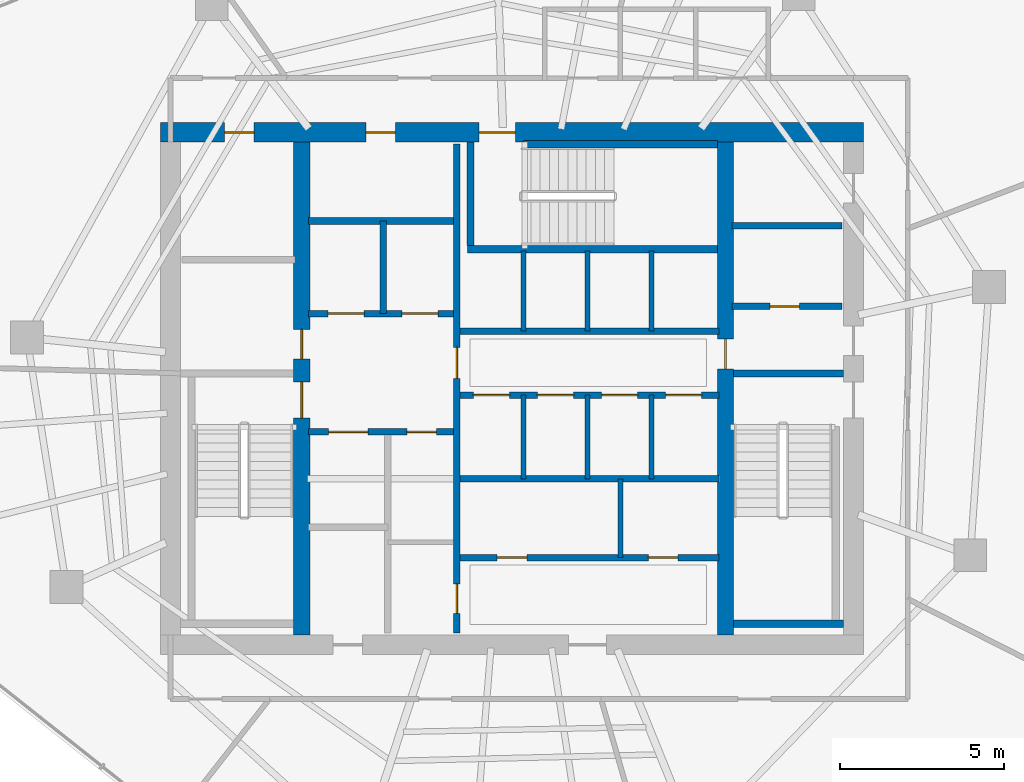
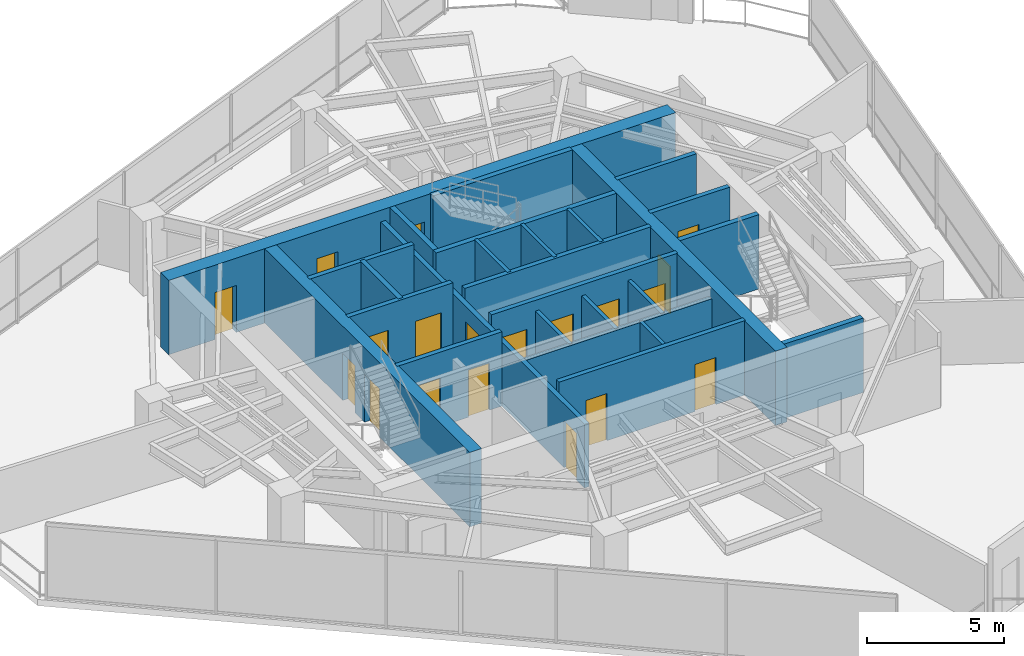
# One storey, part 16 of 20: 26 walls, 19 doors, 19 openings.
"""IFC4 building model written with IfcOpenShell, lengths in metres."""

from ifc_helpers import new_model, si_unit, direction, frame, frame_2d, origin, place, context, subcontext, project, spatial, rectangle, extrude, material, layer, layer_set, type_object, element, fill, save


model = new_model("IFC4")

# Units and contexts
model_context = context("Model", 3, precision=1e-05, world=origin(), true_north=direction((0.0, 1.0)))
body_context = subcontext(model_context, "Body", "Model", "MODEL_VIEW")
ifc_project = project(units=[si_unit("LENGTHUNIT", "METRE"), si_unit("AREAUNIT", "SQUARE_METRE"), si_unit("VOLUMEUNIT", "CUBIC_METRE"), si_unit("PLANEANGLEUNIT", "RADIAN"), si_unit("MASSUNIT", "GRAM", prefix="KILO")], contexts=[model_context])

# Site, building, storey
site_placement = place(None, origin())
site = spatial("IfcSite", under=ifc_project, at=site_placement, CompositionType="ELEMENT")
building_placement = place(site_placement, origin())
building = spatial("IfcBuilding", under=site, at=building_placement, Name="Qarnah Convention Tower", CompositionType="ELEMENT")
storey_placement = place(building_placement, frame((0.0, 0.0, 147.300048828125)))
storey = spatial("IfcBuildingStorey", under=building, at=storey_placement, Name="L39", CompositionType="ELEMENT", Elevation=147.300048828125)

# Wall, openings, doors
ifc_material_1 = material(Name="Concrete C60/75", Category="concrete")
ifc_layer_1 = layer(ifc_material_1, 0.60009765625)
ifc_layer_set_1 = layer_set([ifc_layer_1], Name="Concrete C60/75")
wall_type_1 = type_object("IfcWallType", Name="WL-CORE-600", PredefinedType="SHEAR", material=ifc_layer_set_1)
wall_1_placement = place(storey_placement, frame((26.5, 34.199951171875, 0.0), z_axis=(0.0, 0.0, 1.0), x_axis=(1.0, 0.0, 0.0)))
wall_1 = element("IfcWall", 1, at=wall_1_placement, inside=storey, type_object=wall_type_1, Name="L39 core north shear wall", PredefinedType="SHEAR", context=body_context, shape_type="SweptSolid", body=[
    extrude(rectangle(XDim=21.39990234375, YDim=0.60009765625, at=frame_2d((10.699951171875, 0.0))), origin(), (0.0, 0.0, 1.0), 3.320068359375),
])
opening_1_placement = place(wall_1_placement, frame((9.699951171875, 0.0, 0.0)))
opening_1 = element("IfcOpeningElement", 2, at=opening_1_placement, cuts=wall_1, Name="Opening D-3903", PredefinedType="OPENING", context=body_context, shape_type="SweptSolid", body=[
    extrude(rectangle(XDim=1.10009765625, YDim=2.14990234375, at=frame_2d((0.550048828125, 1.074951171875))), frame((0.0, 0.31005859375, 0.0), z_axis=(0.0, -1.0, 0.0), x_axis=(1.0, 0.0, 0.0)), (0.0, 0.0, 1.0), 0.6201171875),
])
opening_2_placement = place(wall_1_placement, frame((1.949951171875, 0.0, 0.0)))
opening_2 = element("IfcOpeningElement", 3, at=opening_2_placement, cuts=wall_1, Name="Opening D-3909", PredefinedType="OPENING", context=body_context, shape_type="SweptSolid", body=[
    extrude(rectangle(XDim=0.89990234375, YDim=2.10009765625, at=frame_2d((0.449951171875, 1.050048828125))), frame((0.0, 0.31005859375, 0.0), z_axis=(0.0, -1.0, 0.0), x_axis=(1.0, 0.0, 0.0)), (0.0, 0.0, 1.0), 0.6201171875),
])
opening_3_placement = place(wall_1_placement, frame((6.25, 0.0, 0.0)))
opening_3 = element("IfcOpeningElement", 4, at=opening_3_placement, cuts=wall_1, Name="Opening D-3910", PredefinedType="OPENING", context=body_context, shape_type="SweptSolid", body=[
    extrude(rectangle(XDim=0.89990234375, YDim=2.10009765625, at=frame_2d((0.449951171875, 1.050048828125))), frame((0.0, 0.31005859375, 0.0), z_axis=(0.0, -1.0, 0.0), x_axis=(1.0, 0.0, 0.0)), (0.0, 0.0, 1.0), 0.6201171875),
])
ifc_material_2 = material(Name="Structural steel S355JR", Category="steel")
door_type_1 = type_object("IfcDoorType", Name="DT-RISER-900", OperationType="NOTDEFINED", PredefinedType="DOOR", material=ifc_material_2)
door_1_placement = place(opening_2_placement, origin())
door_1 = element("IfcDoor", 5, at=door_1_placement, inside=storey, type_object=door_type_1, Name="Door D-3909", OperationType="SINGLE_SWING_LEFT", OverallHeight=2.10009765625, OverallWidth=0.89990234375, PredefinedType="DOOR", context=body_context, shape_type="SweptSolid", body=[
    extrude(rectangle(XDim=0.89990234375, YDim=2.10009765625, at=frame_2d((0.449951171875, 1.050048828125))), frame((0.0, 0.02490234375, 0.0), z_axis=(0.0, -1.0, 0.0), x_axis=(1.0, 0.0, 0.0)), (0.0, 0.0, 1.0), 0.050048828125),
])
fill(opening_2, door_1)
door_2_placement = place(opening_3_placement, origin())
door_2 = element("IfcDoor", 6, at=door_2_placement, inside=storey, type_object=door_type_1, Name="Door D-3910", OperationType="SINGLE_SWING_RIGHT", OverallHeight=2.10009765625, OverallWidth=0.89990234375, PredefinedType="DOOR", context=body_context, shape_type="SweptSolid", body=[
    extrude(rectangle(XDim=0.89990234375, YDim=2.10009765625, at=frame_2d((0.449951171875, 1.050048828125))), frame((0.0, 0.02490234375, 0.0), z_axis=(0.0, -1.0, 0.0), x_axis=(1.0, 0.0, 0.0)), (0.0, 0.0, 1.0), 0.050048828125),
])
fill(opening_3, door_2)
door_type_2 = type_object("IfcDoorType", Name="DT-STAIR-1100", OperationType="NOTDEFINED", PredefinedType="DOOR", material=ifc_material_2)
door_3_placement = place(opening_1_placement, origin())
door_3 = element("IfcDoor", 7, at=door_3_placement, inside=storey, type_object=door_type_2, Name="Door D-3903", OperationType="SINGLE_SWING_LEFT", OverallHeight=2.14990234375, OverallWidth=1.10009765625, PredefinedType="DOOR", context=body_context, shape_type="SweptSolid", body=[
    extrude(rectangle(XDim=1.10009765625, YDim=2.14990234375, at=frame_2d((0.550048828125, 1.074951171875))), frame((0.0, 0.02490234375, 0.0), z_axis=(0.0, -1.0, 0.0), x_axis=(1.0, 0.0, 0.0)), (0.0, 0.0, 1.0), 0.050048828125),
])
fill(opening_1, door_3)

ifc_layer_2 = layer(ifc_material_1, 0.5)
ifc_layer_set_2 = layer_set([ifc_layer_2], Name="Concrete C60/75")
wall_type_2 = type_object("IfcWallType", Name="WL-CORE-INT-400", PredefinedType="SHEAR", material=ifc_layer_set_2)
wall_2_placement = place(storey_placement, frame((30.800048828125, 18.89990234375, 0.0), z_axis=(0.0, 0.0, 1.0), x_axis=(0.0, 1.0, 0.0)))
wall_2 = element("IfcWall", 8, at=wall_2_placement, inside=storey, type_object=wall_type_2, Name="L39 core west spine shear wall", PredefinedType="SHEAR", context=body_context, shape_type="SweptSolid", body=[
    extrude(rectangle(XDim=15.0, YDim=0.5, at=frame_2d((7.5, 0.0))), origin(), (0.0, 0.0, 1.0), 3.320068359375),
])
opening_4_placement = place(wall_2_placement, frame((6.60009765625, 0.0, 0.0)))
opening_4 = element("IfcOpeningElement", 9, at=opening_4_placement, cuts=wall_2, Name="Opening D-3901", PredefinedType="OPENING", context=body_context, shape_type="SweptSolid", body=[
    extrude(rectangle(XDim=1.10009765625, YDim=2.14990234375, at=frame_2d((0.550048828125, 1.074951171875))), frame((0.0, 0.260009765625, 0.0), z_axis=(0.0, -1.0, 0.0), x_axis=(1.0, 0.0, 0.0)), (0.0, 0.0, 1.0), 0.52001953125),
])
opening_5_placement = place(wall_2_placement, frame((8.39990234375, 0.0, 0.0)))
opening_5 = element("IfcOpeningElement", 10, at=opening_5_placement, cuts=wall_2, Name="Opening D-3908", PredefinedType="OPENING", context=body_context, shape_type="SweptSolid", body=[
    extrude(rectangle(XDim=0.89990234375, YDim=2.10009765625, at=frame_2d((0.449951171875, 1.050048828125))), frame((0.0, 0.260009765625, 0.0), z_axis=(0.0, -1.0, 0.0), x_axis=(1.0, 0.0, 0.0)), (0.0, 0.0, 1.0), 0.52001953125),
])
door_4_placement = place(opening_5_placement, origin())
door_4 = element("IfcDoor", 11, at=door_4_placement, inside=storey, type_object=door_type_1, Name="Door D-3908", OperationType="SINGLE_SWING_RIGHT", OverallHeight=2.10009765625, OverallWidth=0.89990234375, PredefinedType="DOOR", context=body_context, shape_type="SweptSolid", body=[
    extrude(rectangle(XDim=0.89990234375, YDim=2.10009765625, at=frame_2d((0.449951171875, 1.050048828125))), frame((0.0, 0.02490234375, 0.0), z_axis=(0.0, -1.0, 0.0), x_axis=(1.0, 0.0, 0.0)), (0.0, 0.0, 1.0), 0.050048828125),
])
fill(opening_5, door_4)
door_5_placement = place(opening_4_placement, origin())
door_5 = element("IfcDoor", 12, at=door_5_placement, inside=storey, type_object=door_type_2, Name="Door D-3901", OperationType="SINGLE_SWING_LEFT", OverallHeight=2.14990234375, OverallWidth=1.10009765625, PredefinedType="DOOR", context=body_context, shape_type="SweptSolid", body=[
    extrude(rectangle(XDim=1.10009765625, YDim=2.14990234375, at=frame_2d((0.550048828125, 1.074951171875))), frame((0.0, 0.02490234375, 0.0), z_axis=(0.0, -1.0, 0.0), x_axis=(1.0, 0.0, 0.0)), (0.0, 0.0, 1.0), 0.050048828125),
])
fill(opening_4, door_5)

# Wall, opening, door
wall_3_placement = place(storey_placement, frame((43.699951171875, 18.89990234375, 0.0), z_axis=(0.0, 0.0, 1.0), x_axis=(0.0, 1.0, 0.0)))
wall_3 = element("IfcWall", 13, at=wall_3_placement, inside=storey, type_object=wall_type_2, Name="L39 core east spine shear wall", PredefinedType="SHEAR", context=body_context, shape_type="SweptSolid", body=[
    extrude(rectangle(XDim=15.0, YDim=0.5, at=frame_2d((7.5, 0.0))), origin(), (0.0, 0.0, 1.0), 3.320068359375),
])
opening_6_placement = place(wall_3_placement, frame((8.10009765625, 0.0, 0.0)))
opening_6 = element("IfcOpeningElement", 14, at=opening_6_placement, cuts=wall_3, Name="Opening D-3905", PredefinedType="OPENING", context=body_context, shape_type="SweptSolid", body=[
    extrude(rectangle(XDim=0.89990234375, YDim=2.10009765625, at=frame_2d((0.449951171875, 1.050048828125))), frame((0.0, 0.260009765625, 0.0), z_axis=(0.0, -1.0, 0.0), x_axis=(1.0, 0.0, 0.0)), (0.0, 0.0, 1.0), 0.52001953125),
])
door_6_placement = place(opening_6_placement, origin())
door_6 = element("IfcDoor", 15, at=door_6_placement, inside=storey, type_object=door_type_1, Name="Door D-3905", OperationType="SINGLE_SWING_LEFT", OverallHeight=2.10009765625, OverallWidth=0.89990234375, PredefinedType="DOOR", context=body_context, shape_type="SweptSolid", body=[
    extrude(rectangle(XDim=0.89990234375, YDim=2.10009765625, at=frame_2d((0.449951171875, 1.050048828125))), frame((0.0, 0.02490234375, 0.0), z_axis=(0.0, -1.0, 0.0), x_axis=(1.0, 0.0, 0.0)), (0.0, 0.0, 1.0), 0.050048828125),
])
fill(opening_6, door_6)

ifc_material_3 = material(Name="Concrete C45/55", Category="concrete")
ifc_layer_3 = layer(ifc_material_3, 0.199951171875)
ifc_layer_set_3 = layer_set([ifc_layer_3], Name="Concrete C45/55")
wall_type_3 = type_object("IfcWallType", Name="WL-CORE-PART-200", PredefinedType="SOLIDWALL", material=ifc_layer_set_3)
wall_4_placement = place(storey_placement, frame((43.89990234375, 28.89990234375, 0.0), z_axis=(0.0, 0.0, 1.0), x_axis=(1.0, 0.0, 0.0)))
wall_4 = element("IfcWall", 16, at=wall_4_placement, inside=storey, type_object=wall_type_3, Name="L39 interior wall IW-L39-EVSTN", PredefinedType="SOLIDWALL", context=body_context, shape_type="SweptSolid", body=[
    extrude(rectangle(XDim=3.35009765625, YDim=0.199951171875, at=frame_2d((1.675048828125, 0.0))), origin(), (0.0, 0.0, 1.0), 3.320068359375),
])
opening_7_placement = place(wall_4_placement, frame((1.14990234375, 0.0, 0.0)))
opening_7 = element("IfcOpeningElement", 17, at=opening_7_placement, cuts=wall_4, Name="Opening D-3911", PredefinedType="OPENING", context=body_context, shape_type="SweptSolid", body=[
    extrude(rectangle(XDim=0.89990234375, YDim=2.10009765625, at=frame_2d((0.449951171875, 1.050048828125))), frame((0.0, 0.10986328125, 0.0), z_axis=(0.0, -1.0, 0.0), x_axis=(1.0, 0.0, 0.0)), (0.0, 0.0, 1.0), 0.219970703125),
])
door_7_placement = place(opening_7_placement, origin())
door_7 = element("IfcDoor", 18, at=door_7_placement, inside=storey, type_object=door_type_1, Name="Door D-3911", OperationType="SINGLE_SWING_LEFT", OverallHeight=2.10009765625, OverallWidth=0.89990234375, PredefinedType="DOOR", context=body_context, shape_type="SweptSolid", body=[
    extrude(rectangle(XDim=0.89990234375, YDim=2.10009765625, at=frame_2d((0.449951171875, 1.050048828125))), frame((0.0, 0.02490234375, 0.0), z_axis=(0.0, -1.0, 0.0), x_axis=(1.0, 0.0, 0.0)), (0.0, 0.0, 1.0), 0.050048828125),
])
fill(opening_7, door_7)

# Wall
wall_5_placement = place(storey_placement, frame((43.89990234375, 31.35009765625, 0.0), z_axis=(0.0, 0.0, 1.0), x_axis=(1.0, 0.0, 0.0)))
element("IfcWall", 19, at=wall_5_placement, inside=storey, type_object=wall_type_3, Name="L39 interior wall IW-L39-WTRN", PredefinedType="SOLIDWALL", context=body_context, shape_type="SweptSolid", body=[
    extrude(rectangle(XDim=3.35009765625, YDim=0.199951171875, at=frame_2d((1.675048828125, 0.0))), origin(), (0.0, 0.0, 1.0), 3.320068359375),
])

# Wall, openings, doors
wall_6_placement = place(storey_placement, frame((35.52001953125, 18.949951171875, 0.0), z_axis=(0.0, 0.0, 1.0), x_axis=(0.0, 1.0, 0.0)))
wall_6 = element("IfcWall", 20, at=wall_6_placement, inside=storey, type_object=wall_type_3, Name="L39 interior wall IW-L39-CSP", PredefinedType="SOLIDWALL", context=body_context, shape_type="SweptSolid", body=[
    extrude(rectangle(XDim=14.900146484375, YDim=0.199951171875, at=frame_2d((7.4501953125, 0.0))), origin(), (0.0, 0.0, 1.0), 2.841064453125),
])
opening_8_placement = place(wall_6_placement, frame((7.7548828125, 0.0, 0.0)))
opening_8 = element("IfcOpeningElement", 21, at=opening_8_placement, cuts=wall_6, Name="Opening D-3904", PredefinedType="OPENING", context=body_context, shape_type="SweptSolid", body=[
    extrude(rectangle(XDim=0.949951171875, YDim=2.14990234375, at=frame_2d((0.47509765625, 1.074951171875))), frame((0.0, 0.10986328125, 0.0), z_axis=(0.0, -1.0, 0.0), x_axis=(1.0, 0.0, 0.0)), (0.0, 0.0, 1.0), 0.219970703125),
])
opening_9_placement = place(wall_6_placement, frame((0.60009765625, 0.0, 0.0)))
opening_9 = element("IfcOpeningElement", 22, at=opening_9_placement, cuts=wall_6, Name="Opening D-3914", PredefinedType="OPENING", context=body_context, shape_type="SweptSolid", body=[
    extrude(rectangle(XDim=0.89990234375, YDim=2.10009765625, at=frame_2d((0.449951171875, 1.050048828125))), frame((0.0, 0.10986328125, 0.0), z_axis=(0.0, -1.0, 0.0), x_axis=(1.0, 0.0, 0.0)), (0.0, 0.0, 1.0), 0.219970703125),
])
ifc_material_4 = material(Name="Oak timber veneer", Category="wood")
door_type_3 = type_object("IfcDoorType", Name="DT-HOTEL-950", OperationType="NOTDEFINED", PredefinedType="DOOR", material=ifc_material_4)
door_8_placement = place(opening_8_placement, origin())
door_8 = element("IfcDoor", 23, at=door_8_placement, inside=storey, type_object=door_type_3, Name="Door D-3904", OperationType="SINGLE_SWING_RIGHT", OverallHeight=2.14990234375, OverallWidth=0.949951171875, PredefinedType="DOOR", context=body_context, shape_type="SweptSolid", body=[
    extrude(rectangle(XDim=0.949951171875, YDim=2.14990234375, at=frame_2d((0.47509765625, 1.074951171875))), frame((0.0, 0.02490234375, 0.0), z_axis=(0.0, -1.0, 0.0), x_axis=(1.0, 0.0, 0.0)), (0.0, 0.0, 1.0), 0.050048828125),
])
fill(opening_8, door_8)
door_9_placement = place(opening_9_placement, origin())
door_9 = element("IfcDoor", 24, at=door_9_placement, inside=storey, type_object=door_type_1, Name="Door D-3914", OperationType="SINGLE_SWING_RIGHT", OverallHeight=2.10009765625, OverallWidth=0.89990234375, PredefinedType="DOOR", context=body_context, shape_type="SweptSolid", body=[
    extrude(rectangle(XDim=0.89990234375, YDim=2.10009765625, at=frame_2d((0.449951171875, 1.050048828125))), frame((0.0, 0.02490234375, 0.0), z_axis=(0.0, -1.0, 0.0), x_axis=(1.0, 0.0, 0.0)), (0.0, 0.0, 1.0), 0.050048828125),
])
fill(opening_9, door_9)

wall_7_placement = place(storey_placement, frame((31.0, 28.679931640625, 0.0), z_axis=(0.0, 0.0, 1.0), x_axis=(1.0, 0.0, 0.0)))
wall_7 = element("IfcWall", 25, at=wall_7_placement, inside=storey, type_object=wall_type_3, Name="L39 interior wall IW-L39-FFLS", PredefinedType="SOLIDWALL", context=body_context, shape_type="SweptSolid", body=[
    extrude(rectangle(XDim=4.419921875, YDim=0.199951171875, at=frame_2d((2.2099609375, 0.0))), origin(), (0.0, 0.0, 1.0), 3.320068359375),
])
opening_10_placement = place(wall_7_placement, frame((0.60009765625, 0.0, 0.0)))
opening_10 = element("IfcOpeningElement", 26, at=opening_10_placement, cuts=wall_7, Name="Opening LD-3901", PredefinedType="OPENING", context=body_context, shape_type="SweptSolid", body=[
    extrude(rectangle(XDim=1.10009765625, YDim=2.14990234375, at=frame_2d((0.550048828125, 1.074951171875))), frame((0.0, 0.10986328125, 0.0), z_axis=(0.0, -1.0, 0.0), x_axis=(1.0, 0.0, 0.0)), (0.0, 0.0, 1.0), 0.219970703125),
])
opening_11_placement = place(wall_7_placement, frame((2.85009765625, 0.0, 0.0)))
opening_11 = element("IfcOpeningElement", 27, at=opening_11_placement, cuts=wall_7, Name="Opening LD-3902", PredefinedType="OPENING", context=body_context, shape_type="SweptSolid", body=[
    extrude(rectangle(XDim=1.10009765625, YDim=2.14990234375, at=frame_2d((0.550048828125, 1.074951171875))), frame((0.0, 0.10986328125, 0.0), z_axis=(0.0, -1.0, 0.0), x_axis=(1.0, 0.0, 0.0)), (0.0, 0.0, 1.0), 0.219970703125),
])
door_type_4 = type_object("IfcDoorType", Name="DT-LIFT-1100", OperationType="SLIDING_TO_LEFT", PredefinedType="DOOR", material=ifc_material_2)
door_10_placement = place(opening_10_placement, origin())
door_10 = element("IfcDoor", 28, at=door_10_placement, inside=storey, type_object=door_type_4, Name="Door LD-3901", OperationType="SLIDING_TO_LEFT", OverallHeight=2.14990234375, OverallWidth=1.10009765625, PredefinedType="DOOR", context=body_context, shape_type="SweptSolid", body=[
    extrude(rectangle(XDim=1.10009765625, YDim=2.14990234375, at=frame_2d((0.550048828125, 1.074951171875))), frame((0.0, 0.02490234375, 0.0), z_axis=(0.0, -1.0, 0.0), x_axis=(1.0, 0.0, 0.0)), (0.0, 0.0, 1.0), 0.050048828125),
])
fill(opening_10, door_10)
door_11_placement = place(opening_11_placement, origin())
door_11 = element("IfcDoor", 29, at=door_11_placement, inside=storey, type_object=door_type_4, Name="Door LD-3902", OperationType="SLIDING_TO_LEFT", OverallHeight=2.14990234375, OverallWidth=1.10009765625, PredefinedType="DOOR", context=body_context, shape_type="SweptSolid", body=[
    extrude(rectangle(XDim=1.10009765625, YDim=2.14990234375, at=frame_2d((0.550048828125, 1.074951171875))), frame((0.0, 0.02490234375, 0.0), z_axis=(0.0, -1.0, 0.0), x_axis=(1.0, 0.0, 0.0)), (0.0, 0.0, 1.0), 0.050048828125),
])
fill(opening_11, door_11)

# Walls
wall_8_placement = place(storey_placement, frame((31.0, 31.5, 0.0), z_axis=(0.0, 0.0, 1.0), x_axis=(1.0, 0.0, 0.0)))
element("IfcWall", 30, at=wall_8_placement, inside=storey, type_object=wall_type_3, Name="L39 interior wall IW-L39-FFLN", PredefinedType="SOLIDWALL", context=body_context, shape_type="SweptSolid", body=[
    extrude(rectangle(XDim=4.419921875, YDim=0.199951171875, at=frame_2d((2.2099609375, 0.0))), origin(), (0.0, 0.0, 1.0), 3.320068359375),
])
wall_9_placement = place(storey_placement, frame((33.280029296875, 28.679931640625, 0.0), z_axis=(0.0, 0.0, 1.0), x_axis=(0.0, 1.0, 0.0)))
element("IfcWall", 31, at=wall_9_placement, inside=storey, type_object=wall_type_3, Name="L39 interior wall IW-L39-FFLM", PredefinedType="SOLIDWALL", context=body_context, shape_type="SweptSolid", body=[
    extrude(rectangle(XDim=2.820068359375, YDim=0.199951171875, at=frame_2d((1.41015625, 0.0))), origin(), (0.0, 0.0, 1.0), 3.320068359375),
])

# Wall, openings, doors
wall_10_placement = place(storey_placement, frame((31.0, 25.080078125, 0.0), z_axis=(0.0, 0.0, 1.0), x_axis=(1.0, 0.0, 0.0)))
wall_10 = element("IfcWall", 32, at=wall_10_placement, inside=storey, type_object=wall_type_3, Name="L39 interior wall IW-L39-FFLBS", PredefinedType="SOLIDWALL", context=body_context, shape_type="SweptSolid", body=[
    extrude(rectangle(XDim=4.419921875, YDim=0.199951171875, at=frame_2d((2.2099609375, 0.0))), origin(), (0.0, 0.0, 1.0), 3.320068359375),
])
opening_12_placement = place(wall_10_placement, frame((3.0, 0.0, 0.0)))
opening_12 = element("IfcOpeningElement", 33, at=opening_12_placement, cuts=wall_10, Name="Opening D-3915", PredefinedType="OPENING", context=body_context, shape_type="SweptSolid", body=[
    extrude(rectangle(XDim=0.89990234375, YDim=2.10009765625, at=frame_2d((0.449951171875, 1.050048828125))), frame((0.0, 0.10986328125, 0.0), z_axis=(0.0, -1.0, 0.0), x_axis=(1.0, 0.0, 0.0)), (0.0, 0.0, 1.0), 0.219970703125),
])
opening_13_placement = place(wall_10_placement, frame((0.6201171875, 0.0, 0.0)))
opening_13 = element("IfcOpeningElement", 34, at=opening_13_placement, cuts=wall_10, Name="Opening LD-3903", PredefinedType="OPENING", context=body_context, shape_type="SweptSolid", body=[
    extrude(rectangle(XDim=1.199951171875, YDim=2.14990234375, at=frame_2d((0.60009765625, 1.074951171875))), frame((0.0, 0.10986328125, 0.0), z_axis=(0.0, -1.0, 0.0), x_axis=(1.0, 0.0, 0.0)), (0.0, 0.0, 1.0), 0.219970703125),
])
door_type_5 = type_object("IfcDoorType", Name="DT-LIFT-1200", OperationType="SLIDING_TO_LEFT", PredefinedType="DOOR", material=ifc_material_2)
door_12_placement = place(opening_13_placement, origin())
door_12 = element("IfcDoor", 35, at=door_12_placement, inside=storey, type_object=door_type_5, Name="Door LD-3903", OperationType="SLIDING_TO_LEFT", OverallHeight=2.14990234375, OverallWidth=1.199951171875, PredefinedType="DOOR", context=body_context, shape_type="SweptSolid", body=[
    extrude(rectangle(XDim=1.199951171875, YDim=2.14990234375, at=frame_2d((0.60009765625, 1.074951171875))), frame((0.0, 0.02490234375, 0.0), z_axis=(0.0, -1.0, 0.0), x_axis=(1.0, 0.0, 0.0)), (0.0, 0.0, 1.0), 0.050048828125),
])
fill(opening_13, door_12)
door_13_placement = place(opening_12_placement, origin())
door_13 = element("IfcDoor", 36, at=door_13_placement, inside=storey, type_object=door_type_1, Name="Door D-3915", OperationType="SINGLE_SWING_LEFT", OverallHeight=2.10009765625, OverallWidth=0.89990234375, PredefinedType="DOOR", context=body_context, shape_type="SweptSolid", body=[
    extrude(rectangle(XDim=0.89990234375, YDim=2.10009765625, at=frame_2d((0.449951171875, 1.050048828125))), frame((0.0, 0.02490234375, 0.0), z_axis=(0.0, -1.0, 0.0), x_axis=(1.0, 0.0, 0.0)), (0.0, 0.0, 1.0), 0.050048828125),
])
fill(opening_12, door_13)

# Wall
wall_11_placement = place(storey_placement, frame((35.6201171875, 28.14990234375, 0.0), z_axis=(0.0, 0.0, 1.0), x_axis=(1.0, 0.0, 0.0)))
element("IfcWall", 37, at=wall_11_placement, inside=storey, type_object=wall_type_3, Name="L39 interior wall IW-L39-PHS", PredefinedType="SOLIDWALL", context=body_context, shape_type="SweptSolid", body=[
    extrude(rectangle(XDim=7.8798828125, YDim=0.199951171875, at=frame_2d((3.93994140625, 0.0))), origin(), (0.0, 0.0, 1.0), 3.320068359375),
])

# Wall, openings, doors
wall_12_placement = place(storey_placement, frame((35.6201171875, 26.199951171875, 0.0), z_axis=(0.0, 0.0, 1.0), x_axis=(1.0, 0.0, 0.0)))
wall_12 = element("IfcWall", 38, at=wall_12_placement, inside=storey, type_object=wall_type_3, Name="L39 interior wall IW-L39-PMN", PredefinedType="SOLIDWALL", context=body_context, shape_type="SweptSolid", body=[
    extrude(rectangle(XDim=7.8798828125, YDim=0.199951171875, at=frame_2d((3.93994140625, 0.0))), origin(), (0.0, 0.0, 1.0), 3.320068359375),
])
opening_14_placement = place(wall_12_placement, frame((0.405029296875, 0.0, 0.0)))
opening_14 = element("IfcOpeningElement", 39, at=opening_14_placement, cuts=wall_12, Name="Opening LD-3904", PredefinedType="OPENING", context=body_context, shape_type="SweptSolid", body=[
    extrude(rectangle(XDim=1.10009765625, YDim=2.14990234375, at=frame_2d((0.550048828125, 1.074951171875))), frame((0.0, 0.10986328125, 0.0), z_axis=(0.0, -1.0, 0.0), x_axis=(1.0, 0.0, 0.0)), (0.0, 0.0, 1.0), 0.219970703125),
])
opening_15_placement = place(wall_12_placement, frame((2.35498046875, 0.0, 0.0)))
opening_15 = element("IfcOpeningElement", 40, at=opening_15_placement, cuts=wall_12, Name="Opening LD-3905", PredefinedType="OPENING", context=body_context, shape_type="SweptSolid", body=[
    extrude(rectangle(XDim=1.10009765625, YDim=2.14990234375, at=frame_2d((0.550048828125, 1.074951171875))), frame((0.0, 0.10986328125, 0.0), z_axis=(0.0, -1.0, 0.0), x_axis=(1.0, 0.0, 0.0)), (0.0, 0.0, 1.0), 0.219970703125),
])
opening_16_placement = place(wall_12_placement, frame((4.304931640625, 0.0, 0.0)))
opening_16 = element("IfcOpeningElement", 41, at=opening_16_placement, cuts=wall_12, Name="Opening LD-3906", PredefinedType="OPENING", context=body_context, shape_type="SweptSolid", body=[
    extrude(rectangle(XDim=1.10009765625, YDim=2.14990234375, at=frame_2d((0.550048828125, 1.074951171875))), frame((0.0, 0.10986328125, 0.0), z_axis=(0.0, -1.0, 0.0), x_axis=(1.0, 0.0, 0.0)), (0.0, 0.0, 1.0), 0.219970703125),
])
opening_17_placement = place(wall_12_placement, frame((6.2548828125, 0.0, 0.0)))
opening_17 = element("IfcOpeningElement", 42, at=opening_17_placement, cuts=wall_12, Name="Opening LD-3907", PredefinedType="OPENING", context=body_context, shape_type="SweptSolid", body=[
    extrude(rectangle(XDim=1.10009765625, YDim=2.14990234375, at=frame_2d((0.550048828125, 1.074951171875))), frame((0.0, 0.10986328125, 0.0), z_axis=(0.0, -1.0, 0.0), x_axis=(1.0, 0.0, 0.0)), (0.0, 0.0, 1.0), 0.219970703125),
])
door_14_placement = place(opening_14_placement, origin())
door_14 = element("IfcDoor", 43, at=door_14_placement, inside=storey, type_object=door_type_4, Name="Door LD-3904", OperationType="SLIDING_TO_LEFT", OverallHeight=2.14990234375, OverallWidth=1.10009765625, PredefinedType="DOOR", context=body_context, shape_type="SweptSolid", body=[
    extrude(rectangle(XDim=1.10009765625, YDim=2.14990234375, at=frame_2d((0.550048828125, 1.074951171875))), frame((0.0, 0.02490234375, 0.0), z_axis=(0.0, -1.0, 0.0), x_axis=(1.0, 0.0, 0.0)), (0.0, 0.0, 1.0), 0.050048828125),
])
fill(opening_14, door_14)
door_15_placement = place(opening_15_placement, origin())
door_15 = element("IfcDoor", 44, at=door_15_placement, inside=storey, type_object=door_type_4, Name="Door LD-3905", OperationType="SLIDING_TO_LEFT", OverallHeight=2.14990234375, OverallWidth=1.10009765625, PredefinedType="DOOR", context=body_context, shape_type="SweptSolid", body=[
    extrude(rectangle(XDim=1.10009765625, YDim=2.14990234375, at=frame_2d((0.550048828125, 1.074951171875))), frame((0.0, 0.02490234375, 0.0), z_axis=(0.0, -1.0, 0.0), x_axis=(1.0, 0.0, 0.0)), (0.0, 0.0, 1.0), 0.050048828125),
])
fill(opening_15, door_15)
door_16_placement = place(opening_16_placement, origin())
door_16 = element("IfcDoor", 45, at=door_16_placement, inside=storey, type_object=door_type_4, Name="Door LD-3906", OperationType="SLIDING_TO_LEFT", OverallHeight=2.14990234375, OverallWidth=1.10009765625, PredefinedType="DOOR", context=body_context, shape_type="SweptSolid", body=[
    extrude(rectangle(XDim=1.10009765625, YDim=2.14990234375, at=frame_2d((0.550048828125, 1.074951171875))), frame((0.0, 0.02490234375, 0.0), z_axis=(0.0, -1.0, 0.0), x_axis=(1.0, 0.0, 0.0)), (0.0, 0.0, 1.0), 0.050048828125),
])
fill(opening_16, door_16)
door_17_placement = place(opening_17_placement, origin())
door_17 = element("IfcDoor", 46, at=door_17_placement, inside=storey, type_object=door_type_4, Name="Door LD-3907", OperationType="SLIDING_TO_LEFT", OverallHeight=2.14990234375, OverallWidth=1.10009765625, PredefinedType="DOOR", context=body_context, shape_type="SweptSolid", body=[
    extrude(rectangle(XDim=1.10009765625, YDim=2.14990234375, at=frame_2d((0.550048828125, 1.074951171875))), frame((0.0, 0.02490234375, 0.0), z_axis=(0.0, -1.0, 0.0), x_axis=(1.0, 0.0, 0.0)), (0.0, 0.0, 1.0), 0.050048828125),
])
fill(opening_17, door_17)

# Wall
wall_13_placement = place(storey_placement, frame((35.6201171875, 23.64990234375, 0.0), z_axis=(0.0, 0.0, 1.0), x_axis=(1.0, 0.0, 0.0)))
element("IfcWall", 47, at=wall_13_placement, inside=storey, type_object=wall_type_3, Name="L39 interior wall IW-L39-PMPL", PredefinedType="SOLIDWALL", context=body_context, shape_type="SweptSolid", body=[
    extrude(rectangle(XDim=7.8798828125, YDim=0.199951171875, at=frame_2d((3.93994140625, 0.0))), origin(), (0.0, 0.0, 1.0), 2.841064453125),
])

# Wall, openings, doors
wall_14_placement = place(storey_placement, frame((35.6201171875, 21.25, 0.0), z_axis=(0.0, 0.0, 1.0), x_axis=(1.0, 0.0, 0.0)))
wall_14 = element("IfcWall", 48, at=wall_14_placement, inside=storey, type_object=wall_type_3, Name="L39 interior wall IW-L39-PLS", PredefinedType="SOLIDWALL", context=body_context, shape_type="SweptSolid", body=[
    extrude(rectangle(XDim=7.8798828125, YDim=0.199951171875, at=frame_2d((3.93994140625, 0.0))), origin(), (0.0, 0.0, 1.0), 3.320068359375),
])
opening_18_placement = place(wall_14_placement, frame((1.1298828125, 0.0, 0.0)))
opening_18 = element("IfcOpeningElement", 49, at=opening_18_placement, cuts=wall_14, Name="Opening D-3916", PredefinedType="OPENING", context=body_context, shape_type="SweptSolid", body=[
    extrude(rectangle(XDim=0.89990234375, YDim=2.10009765625, at=frame_2d((0.449951171875, 1.050048828125))), frame((0.0, 0.10986328125, 0.0), z_axis=(0.0, -1.0, 0.0), x_axis=(1.0, 0.0, 0.0)), (0.0, 0.0, 1.0), 0.219970703125),
])
opening_19_placement = place(wall_14_placement, frame((5.72998046875, 0.0, 0.0)))
opening_19 = element("IfcOpeningElement", 50, at=opening_19_placement, cuts=wall_14, Name="Opening D-3917", PredefinedType="OPENING", context=body_context, shape_type="SweptSolid", body=[
    extrude(rectangle(XDim=0.89990234375, YDim=2.10009765625, at=frame_2d((0.449951171875, 1.050048828125))), frame((0.0, 0.10986328125, 0.0), z_axis=(0.0, -1.0, 0.0), x_axis=(1.0, 0.0, 0.0)), (0.0, 0.0, 1.0), 0.219970703125),
])
door_18_placement = place(opening_18_placement, origin())
door_18 = element("IfcDoor", 51, at=door_18_placement, inside=storey, type_object=door_type_1, Name="Door D-3916", OperationType="SINGLE_SWING_RIGHT", OverallHeight=2.10009765625, OverallWidth=0.89990234375, PredefinedType="DOOR", context=body_context, shape_type="SweptSolid", body=[
    extrude(rectangle(XDim=0.89990234375, YDim=2.10009765625, at=frame_2d((0.449951171875, 1.050048828125))), frame((0.0, 0.02490234375, 0.0), z_axis=(0.0, -1.0, 0.0), x_axis=(1.0, 0.0, 0.0)), (0.0, 0.0, 1.0), 0.050048828125),
])
fill(opening_18, door_18)
door_19_placement = place(opening_19_placement, origin())
door_19 = element("IfcDoor", 52, at=door_19_placement, inside=storey, type_object=door_type_1, Name="Door D-3917", OperationType="SINGLE_SWING_LEFT", OverallHeight=2.10009765625, OverallWidth=0.89990234375, PredefinedType="DOOR", context=body_context, shape_type="SweptSolid", body=[
    extrude(rectangle(XDim=0.89990234375, YDim=2.10009765625, at=frame_2d((0.449951171875, 1.050048828125))), frame((0.0, 0.02490234375, 0.0), z_axis=(0.0, -1.0, 0.0), x_axis=(1.0, 0.0, 0.0)), (0.0, 0.0, 1.0), 0.050048828125),
])
fill(opening_19, door_19)

# Walls
ifc_layer_4 = layer(ifc_material_1, 0.219970703125)
ifc_layer_set_4 = layer_set([ifc_layer_4], Name="Concrete C60/75")
wall_type_4 = type_object("IfcWallType", Name="WL-CORE-STAIR-220", PredefinedType="SHEAR", material=ifc_layer_set_4)
for number, where, z_axis, x_axis, name in (
    (53, (43.949951171875, 26.860107421875, 0.0), (0.0, 0.0, 1.0), (1.0, 0.0, 0.0), "L39 stair shaft shear wall SW-L39-ST2N"),
    (54, (43.949951171875, 19.239990234375, 0.0), (0.0, 0.0, 1.0), (1.0, 0.0, 0.0), "L39 stair shaft shear wall SW-L39-ST2S"),
):
    element("IfcWall", number, at=place(storey_placement, frame(where, z_axis=z_axis, x_axis=x_axis)), inside=storey, type_object=wall_type_4, Name=name, PredefinedType="SHEAR", context=body_context, shape_type="SweptSolid", body=[
        extrude(rectangle(XDim=3.35009765625, YDim=0.219970703125, at=frame_2d((1.675048828125, 0.0))), origin(), (0.0, 0.0, 1.0), 3.320068359375),
    ])
wall_15_placement = place(storey_placement, frame((35.840087890625, 30.639892578125, 0.0), z_axis=(0.0, 0.0, 1.0), x_axis=(1.0, 0.0, 0.0)))
element("IfcWall", 55, at=wall_15_placement, inside=storey, type_object=wall_type_4, Name="L39 stair shaft shear wall SW-L39-ST3S", PredefinedType="SHEAR", context=body_context, shape_type="SweptSolid", body=[
    extrude(rectangle(XDim=7.60986328125, YDim=0.219970703125, at=frame_2d((3.804931640625, 0.0))), origin(), (0.0, 0.0, 1.0), 3.320068359375),
])
wall_16_placement = place(storey_placement, frame((35.93994140625, 30.75, 0.0), z_axis=(0.0, 0.0, 1.0), x_axis=(0.0, 1.0, 0.0)))
element("IfcWall", 56, at=wall_16_placement, inside=storey, type_object=wall_type_4, Name="L39 stair shaft shear wall SW-L39-ST3W", PredefinedType="SHEAR", context=body_context, shape_type="SweptSolid", body=[
    extrude(rectangle(XDim=3.14990234375, YDim=0.219970703125, at=frame_2d((1.574951171875, 0.0))), origin(), (0.0, 0.0, 1.0), 3.320068359375),
])
wall_17_placement = place(storey_placement, frame((37.550048828125, 33.840087890625, 0.0), z_axis=(0.0, 0.0, 1.0), x_axis=(1.0, 0.0, 0.0)))
element("IfcWall", 57, at=wall_17_placement, inside=storey, type_object=wall_type_4, Name="L39 stair shaft shear wall SW-L39-ST3N", PredefinedType="SHEAR", context=body_context, shape_type="SweptSolid", body=[
    extrude(rectangle(XDim=5.89990234375, YDim=0.219970703125, at=frame_2d((2.949951171875, 0.0))), origin(), (0.0, 0.0, 1.0), 3.320068359375),
])
ifc_material_5 = material(Name="Gypsum partition board")
ifc_layer_5 = layer(ifc_material_5, 0.14990234375)
ifc_layer_set_5 = layer_set([ifc_layer_5], Name="Gypsum partition board")
wall_type_5 = type_object("IfcWallType", Name="WL-SUITE-150", PredefinedType="PARTITIONING", material=ifc_layer_set_5)
for number, where, z_axis, x_axis, name in (
    (58, (37.550048828125, 28.14990234375, 0.0), (0.0, 0.0, 1.0), (0.0, 1.0, 0.0), "L39 interior wall IW-L39-PHD1"),
    (59, (39.5, 28.14990234375, 0.0), (0.0, 0.0, 1.0), (0.0, 1.0, 0.0), "L39 interior wall IW-L39-PHD2"),
    (60, (41.449951171875, 28.14990234375, 0.0), (0.0, 0.0, 1.0), (0.0, 1.0, 0.0), "L39 interior wall IW-L39-PHD3"),
):
    element("IfcWall", number, at=place(storey_placement, frame(where, z_axis=z_axis, x_axis=x_axis)), inside=storey, type_object=wall_type_5, Name=name, PredefinedType="PARTITIONING", context=body_context, shape_type="SweptSolid", body=[
        extrude(rectangle(XDim=2.43017578125, YDim=0.14990234375, at=frame_2d((1.215087890625, 0.0))), origin(), (0.0, 0.0, 1.0), 3.320068359375),
    ])
for number, where, z_axis, x_axis, name in (
    (61, (37.550048828125, 23.64990234375, 0.0), (0.0, 0.0, 1.0), (0.0, 1.0, 0.0), "L39 interior wall IW-L39-PMD1"),
    (62, (39.5, 23.64990234375, 0.0), (0.0, 0.0, 1.0), (0.0, 1.0, 0.0), "L39 interior wall IW-L39-PMD2"),
    (63, (41.449951171875, 23.64990234375, 0.0), (0.0, 0.0, 1.0), (0.0, 1.0, 0.0), "L39 interior wall IW-L39-PMD3"),
):
    element("IfcWall", number, at=place(storey_placement, frame(where, z_axis=z_axis, x_axis=x_axis)), inside=storey, type_object=wall_type_5, Name=name, PredefinedType="PARTITIONING", context=body_context, shape_type="SweptSolid", body=[
        extrude(rectangle(XDim=2.550048828125, YDim=0.14990234375, at=frame_2d((1.27490234375, 0.0))), origin(), (0.0, 0.0, 1.0), 2.841064453125),
    ])
wall_18_placement = place(storey_placement, frame((40.5, 21.25, 0.0), z_axis=(0.0, 0.0, 1.0), x_axis=(0.0, 1.0, 0.0)))
element("IfcWall", 64, at=wall_18_placement, inside=storey, type_object=wall_type_5, Name="L39 interior wall IW-L39-PLFD", PredefinedType="PARTITIONING", context=body_context, shape_type="SweptSolid", body=[
    extrude(rectangle(XDim=2.39990234375, YDim=0.14990234375, at=frame_2d((1.199951171875, 0.0))), origin(), (0.0, 0.0, 1.0), 2.841064453125),
])

save(model, "model.ifc")
